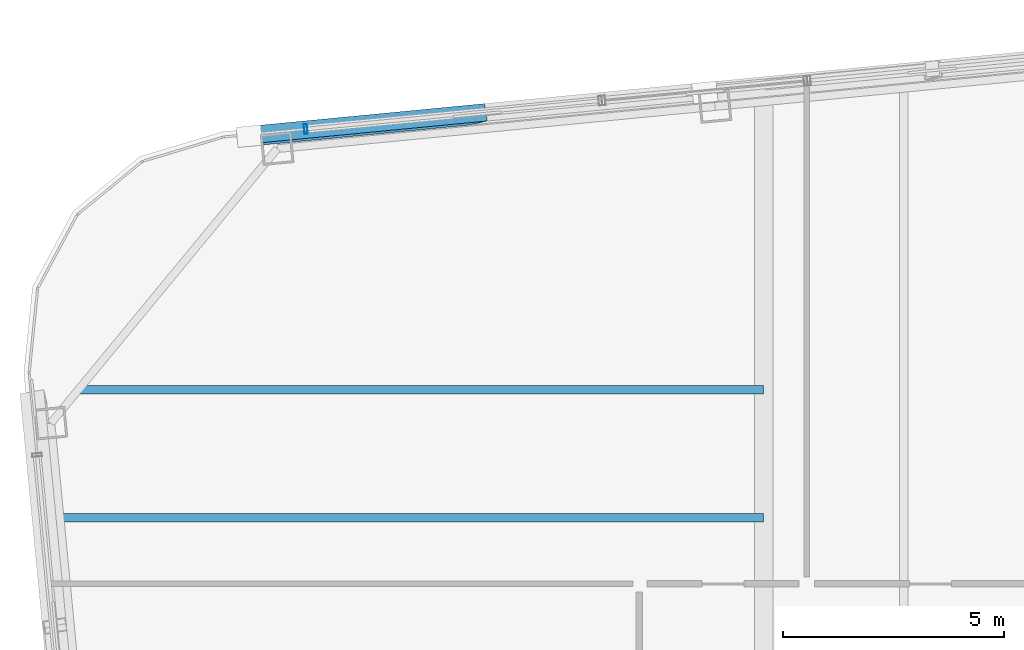
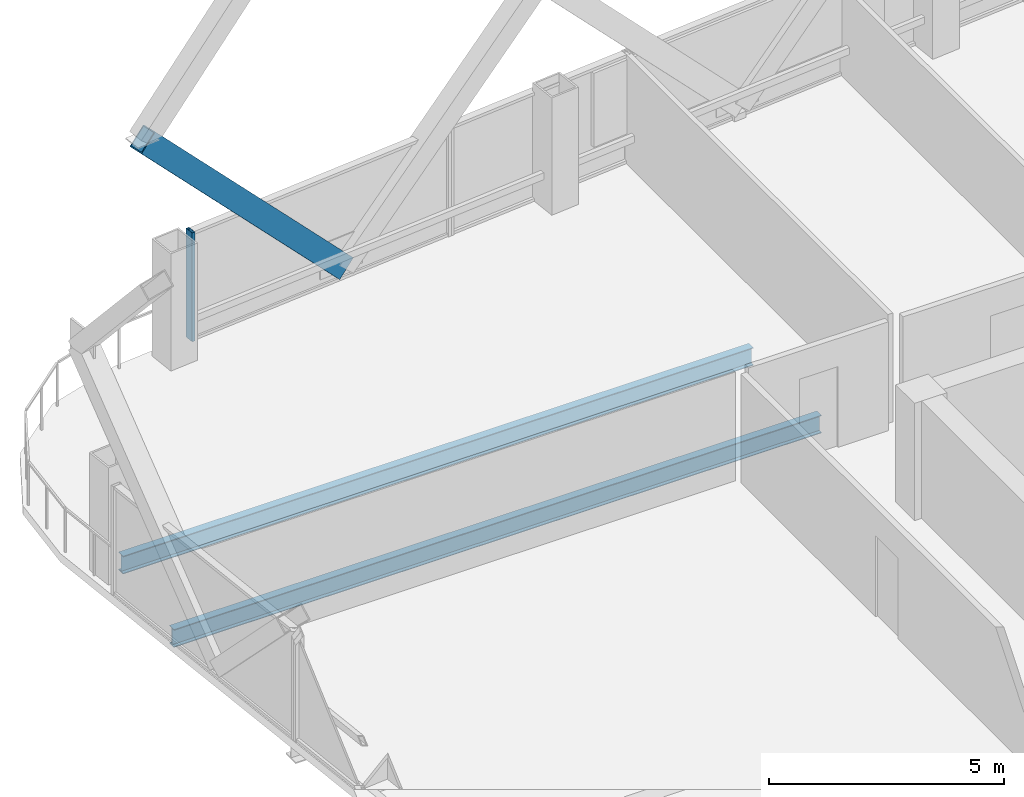
# One storey, part 19 of 34: 2 beams, 2 members, 1 element without a shape of its own.
"""IFC4 building model written with IfcOpenShell, lengths in metres."""

from ifc_helpers import new_model, si_unit, direction, frame, origin, origin_2d, place, context, subcontext, project, spatial, hollow_rectangle, i_section, extrude, material, layer, layer_set, material_profile, profile_set, type_object, element, aggregate, save


model = new_model("IFC4")

# Units and contexts
model_context = context("Model", 3, precision=1e-05, world=origin(), true_north=direction((0.0, 1.0)))
body_context = subcontext(model_context, "Body", "Model", "MODEL_VIEW")
ifc_project = project(units=[si_unit("LENGTHUNIT", "METRE"), si_unit("AREAUNIT", "SQUARE_METRE"), si_unit("VOLUMEUNIT", "CUBIC_METRE"), si_unit("PLANEANGLEUNIT", "RADIAN"), si_unit("MASSUNIT", "GRAM", prefix="KILO")], contexts=[model_context])

# Site, building, storey
site_placement = place(None, origin())
site = spatial("IfcSite", under=ifc_project, at=site_placement, CompositionType="ELEMENT")
building_placement = place(site_placement, origin())
building = spatial("IfcBuilding", under=site, at=building_placement, Name="Qhalaya Broadcast Tower", CompositionType="ELEMENT")
storey_placement = place(building_placement, frame((0.0, 0.0, 168.35009765625)))
storey = spatial("IfcBuildingStorey", under=building, at=storey_placement, Name="L49", CompositionType="ELEMENT", Elevation=168.35009765625)

# Beams
ifc_material_1 = material(Name="Structural Steel ASTM A992 Grade 50", Category="steel")
ifc_material_profile_1 = material_profile(ifc_material_1, i_section(OverallWidth=0.19189453125, OverallDepth=0.462890625, WebThickness=0.010498046875, FlangeThickness=0.017578125, at=origin_2d()), Name="W18X60")
ifc_profile_set_1 = profile_set([ifc_material_profile_1], Name="Structural Steel ASTM A992 Grade 50")
beam_type = type_object("IfcBeamType", Name="Composite Floor Joist J03", PredefinedType="JOIST", material=ifc_profile_set_1)
beam_1_placement = place(storey_placement, frame((-25.301513671875, 14.300048828125, -0.45166015625), z_axis=(1.0, 0.0, 0.0), x_axis=(0.0, 1.0, 0.0)))
element("IfcBeam", 1, at=beam_1_placement, inside=storey, type_object=beam_type, Name="L49 J03 L49-JWE6W-1", PredefinedType="JOIST", context=body_context, shape_type="SweptSolid", body=[
    extrude(i_section(OverallWidth=0.19189453125, OverallDepth=0.462890625, WebThickness=0.010498046875, FlangeThickness=0.017578125, at=origin_2d()), origin(), (0.0, 0.0, 1.0), 15.926513671875),
])
beam_2_placement = place(storey_placement, frame((-24.876953125, 17.199951171875, -0.45166015625), z_axis=(1.0, 0.0, 0.0), x_axis=(0.0, 1.0, 0.0)))
element("IfcBeam", 2, at=beam_2_placement, inside=storey, type_object=beam_type, Name="L49 J03 L49-JWE7W-1", PredefinedType="JOIST", context=body_context, shape_type="SweptSolid", body=[
    extrude(i_section(OverallWidth=0.19189453125, OverallDepth=0.462890625, WebThickness=0.010498046875, FlangeThickness=0.017578125, at=origin_2d()), origin(), (0.0, 0.0, 1.0), 15.501953125),
])

# Member
ifc_material_2 = material(Name="Structural Steel ASTM A572 Grade 50", Category="steel")
ifc_material_profile_2 = material_profile(ifc_material_2, hollow_rectangle(XDim=0.39990234375, YDim=0.550048828125, WallThickness=0.02490234375, at=origin_2d()), Name="BOX 400x550x25")
ifc_profile_set_2 = profile_set([ifc_material_profile_2], Name="Structural Steel ASTM A572 Grade 50")
member_type_1 = type_object("IfcMemberType", Name="Exoskeleton Diamond Diagonal Mid-High EX3", PredefinedType="BRACE", material=ifc_profile_set_2)
member_1_placement = place(storey_placement, frame((-15.87060546875, 23.439697265625, 0.35986328125), z_axis=(-0.690634240747, -0.066468725546, 0.720143217723), x_axis=(0.164064515267, -0.984205545269, 0.066500221744)))
element("IfcMember", 3, at=member_1_placement, inside=storey, type_object=member_type_1, Name="B4 Exoskeleton Diamond Brace N3-D2", PredefinedType="BRACE", context=body_context, shape_type="SweptSolid", body=[
    extrude(hollow_rectangle(XDim=0.39990234375, YDim=0.550048828125, WallThickness=0.02490234375, at=origin_2d()), origin(), (0.0, 0.0, 1.0), 7.470947265625),
])

# Curtain wall, member
ifc_material_3 = material(Name="Fired Architectural Terracotta", Category="masonry")
ifc_layer = layer(ifc_material_3, 0.219970703125, Name="Fired Architectural Terracotta")
ifc_layer_set = layer_set([ifc_layer], Name="Fired Architectural Terracotta")
curtain_wall_type = type_object("IfcCurtainWallType", Name="Block-Cap Unitised Terracotta Spandrel Wall CW-07", PredefinedType="NOTDEFINED", material=ifc_layer_set)
curtain_wall_placement = place(storey_placement, origin())
curtain_wall = element("IfcCurtainWall", 4, at=curtain_wall_placement, inside=storey, type_object=curtain_wall_type, Name="L49 Unitised Curtain Wall L49-CW-N5", PredefinedType="NOTDEFINED")
ifc_material_4 = material(Name="Anodised Aluminium 6063-T6", Category="aluminium")
ifc_material_profile_3 = material_profile(ifc_material_4, hollow_rectangle(XDim=0.074951171875, YDim=0.219970703125, WallThickness=0.00390625, at=origin_2d()), Name="ALU-MUL 75x220x4")
ifc_profile_set_3 = profile_set([ifc_material_profile_3], Name="Anodised Aluminium 6063-T6")
member_type_2 = type_object("IfcMemberType", Name="Unitised Curtain-Wall Mullion M01", PredefinedType="MULLION", material=ifc_profile_set_3)
member_2_placement = place(storey_placement, frame((-19.75244140625, 23.106201171875, 0.0), z_axis=(0.0, 0.0, 1.0), x_axis=(-0.99539669829, -0.095840560477, 0.0)))
member_2 = element("IfcMember", 5, at=member_2_placement, type_object=member_type_2, Name="CW-07 mullion 2", PredefinedType="MULLION", context=body_context, shape_type="SweptSolid", body=[
    extrude(hollow_rectangle(XDim=0.074951171875, YDim=0.219970703125, WallThickness=0.00390625, at=origin_2d()), origin(), (0.0, 0.0, 1.0), 2.829833984375),
])
aggregate(curtain_wall, [member_2])

save(model, "model.ifc")
